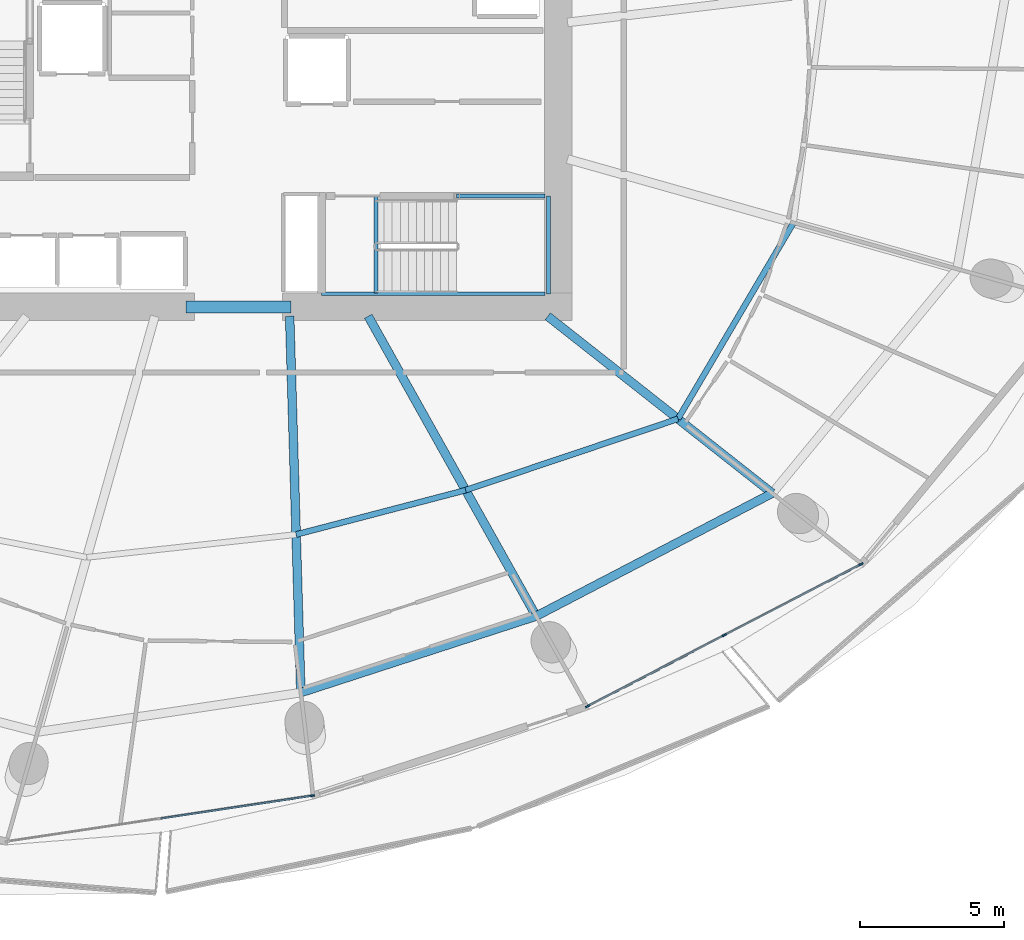
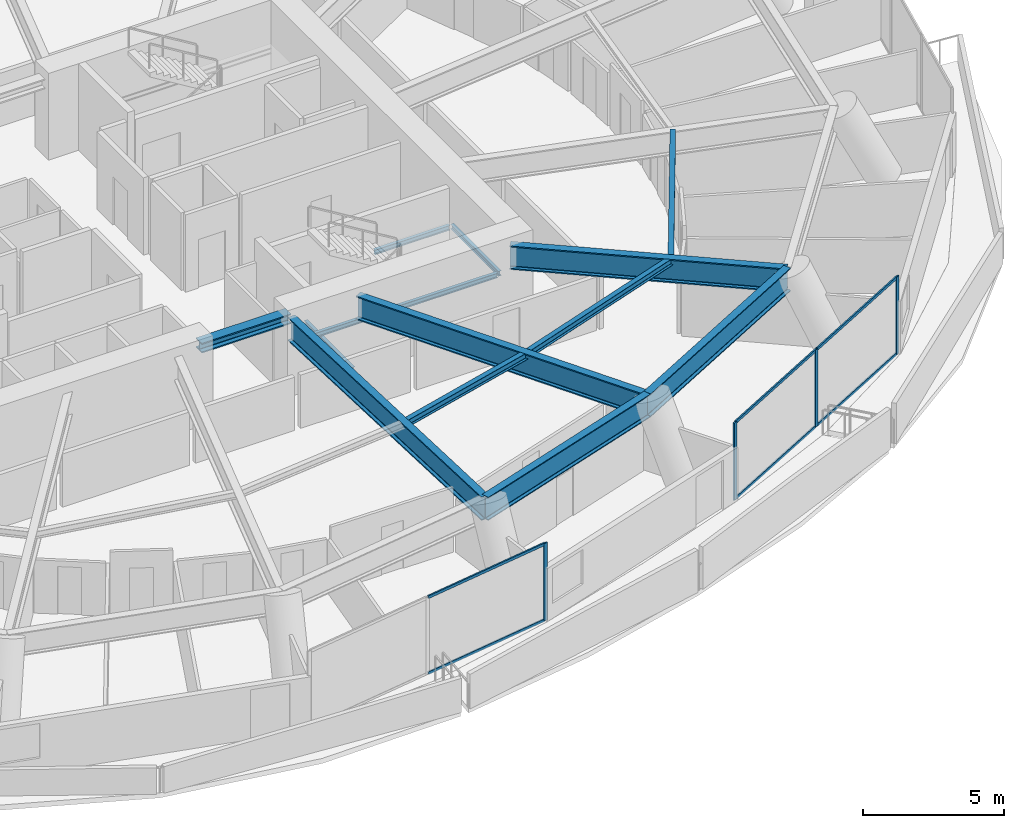
# One storey, part 9 of 31: 13 beams, 10 members, 2 elements without a shape of their own.
"""IFC4 building model written with IfcOpenShell, lengths in metres."""

from ifc_helpers import new_model, si_unit, direction, frame, origin, origin_2d, place, context, subcontext, project, spatial, rectangle, i_section, extrude, material, layer, layer_set, material_profile, profile_set, type_object, element, aggregate, save


model = new_model("IFC4")

# Units and contexts
model_context = context("Model", 3, precision=1e-05, world=origin(), true_north=direction((0.0, 1.0)))
body_context = subcontext(model_context, "Body", "Model", "MODEL_VIEW")
ifc_project = project(units=[si_unit("LENGTHUNIT", "METRE"), si_unit("AREAUNIT", "SQUARE_METRE"), si_unit("VOLUMEUNIT", "CUBIC_METRE"), si_unit("PLANEANGLEUNIT", "RADIAN"), si_unit("MASSUNIT", "GRAM", prefix="KILO")], contexts=[model_context])

# Site, building, storey
site_placement = place(None, origin())
site = spatial("IfcSite", under=ifc_project, at=site_placement, CompositionType="ELEMENT")
building_placement = place(site_placement, origin())
building = spatial("IfcBuilding", under=site, at=building_placement, Name="Kazma Halo Residences", CompositionType="ELEMENT")
storey_placement = place(building_placement, frame((0.0, 0.0, 71.39990234375)))
storey = spatial("IfcBuildingStorey", under=building, at=storey_placement, Name="L17", CompositionType="ELEMENT", Elevation=71.39990234375)

# Beams
ifc_material_1 = material(Name="Steel S355", Category="steel")
ifc_material_profile_1 = material_profile(ifc_material_1, i_section(OverallWidth=0.408935546875, OverallDepth=0.425048828125, WebThickness=0.03271484375, FlangeThickness=0.052490234375, FilletRadius=0.02001953125, at=origin_2d()), Name="W360x421")
ifc_profile_set_1 = profile_set([ifc_material_profile_1], Name="Steel S355")
beam_type_1 = type_object("IfcBeamType", Name="BM-CORE-W360H", PredefinedType="BEAM", material=ifc_profile_set_1)
beam_1_placement = place(storey_placement, frame((46.60009765625, 33.52490234375, 3.1376953125), z_axis=(1.0, 0.0, 0.0), x_axis=(0.0, 1.0, 0.0)))
element("IfcBeam", 1, at=beam_1_placement, inside=storey, type_object=beam_type_1, Name="L17 core coupling beam S", PredefinedType="BEAM", context=body_context, shape_type="SweptSolid", body=[
    extrude(i_section(OverallWidth=0.408935546875, OverallDepth=0.425048828125, WebThickness=0.03271484375, FlangeThickness=0.052490234375, FilletRadius=0.02001953125, at=origin_2d()), origin(), (0.0, 0.0, 1.0), 3.64990234375),
])
ifc_material_profile_2 = material_profile(ifc_material_1, i_section(OverallWidth=0.202880859375, OverallDepth=0.302978515625, WebThickness=0.007568359375, FlangeThickness=0.01318359375, FilletRadius=0.013916015625, at=origin_2d()), Name="W310x60")
ifc_profile_set_2 = profile_set([ifc_material_profile_2], Name="Steel S355")
beam_type_2 = type_object("IfcBeamType", Name="BM-SEC-W310A", PredefinedType="JOIST", material=ifc_profile_set_2)
beam_2_placement = place(storey_placement, frame((50.42529296875, 25.619873046875, 3.198486328125), z_axis=(0.967428637707, 0.253143893751, 0.0), x_axis=(-0.253143893751, 0.967428637707, 0.0)))
element("IfcBeam", 2, at=beam_2_placement, inside=storey, type_object=beam_type_2, Name="L17 circumferential floor joist 12", PredefinedType="JOIST", context=body_context, shape_type="SweptSolid", body=[
    extrude(i_section(OverallWidth=0.202880859375, OverallDepth=0.302978515625, WebThickness=0.007568359375, FlangeThickness=0.01318359375, FilletRadius=0.013916015625, at=origin_2d()), origin(), (0.0, 0.0, 1.0), 6.083740234375),
])
beam_3_placement = place(storey_placement, frame((56.310791015625, 27.159912109375, 3.198486328125), z_axis=(0.947980974582, 0.318326988849, 0.0), x_axis=(-0.318326988849, 0.947980974582, 0.0)))
element("IfcBeam", 3, at=beam_3_placement, inside=storey, type_object=beam_type_2, Name="L17 circumferential floor joist 13", PredefinedType="JOIST", context=body_context, shape_type="SweptSolid", body=[
    extrude(i_section(OverallWidth=0.202880859375, OverallDepth=0.302978515625, WebThickness=0.007568359375, FlangeThickness=0.01318359375, FilletRadius=0.013916015625, at=origin_2d()), origin(), (0.0, 0.0, 1.0), 7.777587890625),
])
beam_4_placement = place(storey_placement, frame((63.683837890625, 29.6357421875, 3.198486328125), z_axis=(0.507592401901, 0.86159732679, 0.0), x_axis=(-0.86159732679, 0.507592401901, 0.0)))
element("IfcBeam", 4, at=beam_4_placement, inside=storey, type_object=beam_type_2, Name="L17 circumferential floor joist 14", PredefinedType="JOIST", context=body_context, shape_type="SweptSolid", body=[
    extrude(i_section(OverallWidth=0.202880859375, OverallDepth=0.302978515625, WebThickness=0.007568359375, FlangeThickness=0.01318359375, FilletRadius=0.013916015625, at=origin_2d()), origin(), (0.0, 0.0, 1.0), 7.9033203125),
])
ifc_material_profile_3 = material_profile(ifc_material_1, i_section(OverallWidth=0.302001953125, OverallDepth=1.01806640625, WebThickness=0.021484375, FlangeThickness=0.049072265625, FilletRadius=0.028076171875, at=origin_2d()), Name="W1000x443")
ifc_profile_set_3 = profile_set([ifc_material_profile_3], Name="Steel S355")
beam_type_3 = type_object("IfcBeamType", Name="BM-TRANS-W1000A", PredefinedType="BEAM", material=ifc_profile_set_3)
beam_5_placement = place(storey_placement, frame((50.199951171875, 33.199951171875, 2.841064453125), z_axis=(0.029707977908, -0.999558620616, 0.0), x_axis=(0.999558620616, 0.029707977908, 0.0)))
element("IfcBeam", 5, at=beam_5_placement, inside=storey, type_object=beam_type_3, Name="L17 podium radial transfer girder 12", PredefinedType="BEAM", context=body_context, shape_type="SweptSolid", body=[
    extrude(i_section(OverallWidth=0.302001953125, OverallDepth=1.01806640625, WebThickness=0.021484375, FlangeThickness=0.049072265625, FilletRadius=0.028076171875, at=origin_2d()), origin(), (0.0, 0.0, 1.0), 13.074951171875),
])
beam_6_placement = place(storey_placement, frame((52.92822265625, 33.199951171875, 2.841064453125), z_axis=(0.488622054606, -0.872495551709, 0.0), x_axis=(0.872495551709, 0.488622054606, 0.0)))
element("IfcBeam", 6, at=beam_6_placement, inside=storey, type_object=beam_type_3, Name="L17 podium radial transfer girder 13", PredefinedType="BEAM", context=body_context, shape_type="SweptSolid", body=[
    extrude(i_section(OverallWidth=0.302001953125, OverallDepth=1.01806640625, WebThickness=0.021484375, FlangeThickness=0.049072265625, FilletRadius=0.028076171875, at=origin_2d()), origin(), (0.0, 0.0, 1.0), 11.935791015625),
])
beam_7_placement = place(storey_placement, frame((59.16259765625, 33.199951171875, 2.841064453125), z_axis=(0.785323894533, -0.619085115856, 0.0), x_axis=(0.619085115856, 0.785323894533, 0.0)))
element("IfcBeam", 7, at=beam_7_placement, inside=storey, type_object=beam_type_3, Name="L17 podium radial transfer girder 14", PredefinedType="BEAM", context=body_context, shape_type="SweptSolid", body=[
    extrude(i_section(OverallWidth=0.302001953125, OverallDepth=1.01806640625, WebThickness=0.021484375, FlangeThickness=0.049072265625, FilletRadius=0.028076171875, at=origin_2d()), origin(), (0.0, 0.0, 1.0), 9.92626953125),
])
ifc_material_profile_4 = material_profile(ifc_material_1, i_section(OverallWidth=0.300048828125, OverallDepth=1.0, WebThickness=0.01904296875, FlangeThickness=0.0400390625, FilletRadius=0.02587890625, at=origin_2d()), Name="W1000x371")
ifc_profile_set_4 = profile_set([ifc_material_profile_4], Name="Steel S355")
beam_type_4 = type_object("IfcBeamType", Name="BM-TRANS-W1000B", PredefinedType="BEAM", material=ifc_profile_set_4)
beam_8_placement = place(storey_placement, frame((50.58837890625, 20.130859375, 2.85009765625), z_axis=(0.951054111927, 0.30902439416, 0.0), x_axis=(-0.30902439416, 0.951054111927, 0.0)))
element("IfcBeam", 8, at=beam_8_placement, inside=storey, type_object=beam_type_4, Name="L17 perimeter ring beam 12", PredefinedType="BEAM", context=body_context, shape_type="SweptSolid", body=[
    extrude(i_section(OverallWidth=0.300048828125, OverallDepth=1.0, WebThickness=0.01904296875, FlangeThickness=0.0400390625, FilletRadius=0.02587890625, at=origin_2d()), origin(), (0.0, 0.0, 1.0), 8.592529296875),
])
beam_9_placement = place(storey_placement, frame((58.76025390625, 22.7861328125, 2.85009765625), z_axis=(0.886963229644, 0.461840047266, 0.0), x_axis=(-0.461840047266, 0.886963229644, 0.0)))
element("IfcBeam", 9, at=beam_9_placement, inside=storey, type_object=beam_type_4, Name="L17 perimeter ring beam 13", PredefinedType="BEAM", context=body_context, shape_type="SweptSolid", body=[
    extrude(i_section(OverallWidth=0.300048828125, OverallDepth=1.0, WebThickness=0.01904296875, FlangeThickness=0.0400390625, FilletRadius=0.02587890625, at=origin_2d()), origin(), (0.0, 0.0, 1.0), 9.242431640625),
])
ifc_material_profile_5 = material_profile(ifc_material_1, i_section(OverallWidth=0.133056640625, OverallDepth=0.20703125, WebThickness=0.005859375, FlangeThickness=0.00830078125, FilletRadius=0.010009765625, at=origin_2d()), Name="W200x26.6")
ifc_profile_set_5 = profile_set([ifc_material_profile_5], Name="Steel S355")
beam_type_5 = type_object("IfcBeamType", Name="BM-TRIM-W200", PredefinedType="BEAM", material=ifc_profile_set_5)
beam_10_placement = place(storey_placement, frame((53.199951171875, 34.0, -0.510009765625), z_axis=(0.0, 1.0, 0.0), x_axis=(-1.0, 0.0, 0.0)))
element("IfcBeam", 10, at=beam_10_placement, inside=storey, type_object=beam_type_5, Name="L17 ST-03 floor landing support beam", PredefinedType="BEAM", context=body_context, shape_type="SweptSolid", body=[
    extrude(i_section(OverallWidth=0.133056640625, OverallDepth=0.20703125, WebThickness=0.005859375, FlangeThickness=0.00830078125, FilletRadius=0.010009765625, at=origin_2d()), origin(), (0.0, 0.0, 1.0), 3.3798828125),
])
beam_11_placement = place(storey_placement, frame((51.31005859375, 33.97998046875, 1.570068359375), z_axis=(1.0, 0.0, 0.0), x_axis=(0.0, 1.0, 0.0)))
element("IfcBeam", 11, at=beam_11_placement, inside=storey, type_object=beam_type_5, Name="L17 ST-03 landing south wall ledger", PredefinedType="BEAM", context=body_context, shape_type="SweptSolid", body=[
    extrude(i_section(OverallWidth=0.133056640625, OverallDepth=0.20703125, WebThickness=0.005859375, FlangeThickness=0.00830078125, FilletRadius=0.010009765625, at=origin_2d()), origin(), (0.0, 0.0, 1.0), 7.760009765625),
])
beam_12_placement = place(storey_placement, frame((56.0, 37.3798828125, 1.570068359375), z_axis=(1.0, 0.0, 0.0), x_axis=(0.0, 1.0, 0.0)))
element("IfcBeam", 12, at=beam_12_placement, inside=storey, type_object=beam_type_5, Name="L17 ST-03 landing north wall ledger", PredefinedType="BEAM", context=body_context, shape_type="SweptSolid", body=[
    extrude(i_section(OverallWidth=0.133056640625, OverallDepth=0.20703125, WebThickness=0.005859375, FlangeThickness=0.00830078125, FilletRadius=0.010009765625, at=origin_2d()), origin(), (0.0, 0.0, 1.0), 3.070068359375),
])
beam_13_placement = place(storey_placement, frame((59.18994140625, 33.97998046875, 1.570068359375), z_axis=(0.0, 1.0, 0.0), x_axis=(-1.0, 0.0, 0.0)))
element("IfcBeam", 13, at=beam_13_placement, inside=storey, type_object=beam_type_5, Name="L17 ST-03 landing end wall ledger", PredefinedType="BEAM", context=body_context, shape_type="SweptSolid", body=[
    extrude(i_section(OverallWidth=0.133056640625, OverallDepth=0.20703125, WebThickness=0.005859375, FlangeThickness=0.00830078125, FilletRadius=0.010009765625, at=origin_2d()), origin(), (0.0, 0.0, 1.0), 3.39990234375),
])

# Curtain wall, member
ifc_material_2 = material(Name="Aluminium AW-6063 T6 and Triple-Silver Low-E Glass", Category="aluminium")
ifc_layer = layer(ifc_material_2, 0.159912109375)
ifc_layer_set = layer_set([ifc_layer], Name="Aluminium AW-6063 T6 and Triple-Silver Low-E Glass")
curtain_wall_type = type_object("IfcCurtainWallType", Name="CW-SYS-2", PredefinedType="NOTDEFINED", material=ifc_layer_set)
curtain_wall_1_placement = place(storey_placement, origin())
curtain_wall_1 = element("IfcCurtainWall", 14, at=curtain_wall_1_placement, inside=storey, type_object=curtain_wall_type, Name="L17 unitised curtain wall B11", PredefinedType="NOTDEFINED")
ifc_material_3 = material(Name="Aluminium AW-6063 T6", Category="aluminium")
ifc_material_profile_6 = material_profile(ifc_material_3, rectangle(XDim=0.06005859375, YDim=0.159912109375, at=origin_2d()), Name="CWM-60x160")
ifc_profile_set_6 = profile_set([ifc_material_profile_6], Name="Aluminium AW-6063 T6")
member_type_1 = type_object("IfcMemberType", Name="CW-SYS-2-MUL", PredefinedType="MULLION", material=ifc_profile_set_6)
member_1_placement = place(storey_placement, frame((50.981689453125, 16.552490234375, 0.0), z_axis=(0.0, 0.0, 1.0), x_axis=(-0.148657272805, 0.988888777994, 0.0)))
member_1 = element("IfcMember", 15, at=member_1_placement, type_object=member_type_1, Name="CWS-2 mullion 3", PredefinedType="MULLION", context=body_context, shape_type="SweptSolid", body=[
    extrude(rectangle(XDim=0.06005859375, YDim=0.159912109375, at=origin_2d()), origin(), (0.0, 0.0, 1.0), 3.35009765625),
])

# Curtain wall, members
curtain_wall_2_placement = place(storey_placement, origin())
curtain_wall_2 = element("IfcCurtainWall", 16, at=curtain_wall_2_placement, inside=storey, type_object=curtain_wall_type, Name="L17 unitised curtain wall B13", PredefinedType="NOTDEFINED")
member_2_placement = place(storey_placement, frame((60.54541015625, 19.659912109375, 0.0), z_axis=(0.0, 0.0, 1.0), x_axis=(-0.460995912628, 0.887402258584, 0.0)))
member_2 = element("IfcMember", 17, at=member_2_placement, type_object=member_type_1, Name="CWS-2 mullion 1", PredefinedType="MULLION", context=body_context, shape_type="SweptSolid", body=[
    extrude(rectangle(XDim=0.06005859375, YDim=0.159912109375, at=origin_2d()), origin(), (0.0, 0.0, 1.0), 3.35009765625),
])
member_3_placement = place(storey_placement, frame((65.2919921875, 22.125732421875, 0.0), z_axis=(0.0, 0.0, 1.0), x_axis=(-0.460995912628, 0.887402258584, 0.0)))
member_3 = element("IfcMember", 18, at=member_3_placement, type_object=member_type_1, Name="CWS-2 mullion 2", PredefinedType="MULLION", context=body_context, shape_type="SweptSolid", body=[
    extrude(rectangle(XDim=0.06005859375, YDim=0.159912109375, at=origin_2d()), origin(), (0.0, 0.0, 1.0), 3.35009765625),
])
member_4_placement = place(storey_placement, frame((70.03857421875, 24.591552734375, 0.0), z_axis=(0.0, 0.0, 1.0), x_axis=(-0.460995912628, 0.887402258584, 0.0)))
member_4 = element("IfcMember", 19, at=member_4_placement, type_object=member_type_1, Name="CWS-2 mullion 3", PredefinedType="MULLION", context=body_context, shape_type="SweptSolid", body=[
    extrude(rectangle(XDim=0.06005859375, YDim=0.159912109375, at=origin_2d()), origin(), (0.0, 0.0, 1.0), 3.35009765625),
])

# Member
ifc_material_profile_7 = material_profile(ifc_material_3, rectangle(XDim=0.06005859375, YDim=0.1201171875, at=origin_2d()), Name="CWT-60x120")
ifc_profile_set_7 = profile_set([ifc_material_profile_7], Name="Aluminium AW-6063 T6")
member_type_2 = type_object("IfcMemberType", Name="CW-SYS-2-TRN", PredefinedType="USERDEFINED", material=ifc_profile_set_7)
member_5_placement = place(storey_placement, frame((45.721923828125, 15.761962890625, 0.030029296875), z_axis=(0.98889195415, 0.148636143041, 0.0), x_axis=(-0.148636143041, 0.98889195415, 0.0)))
member_5 = element("IfcMember", 20, at=member_5_placement, type_object=member_type_2, Name="CWS-2 transom 2.1", ObjectType="TRANSOM", PredefinedType="USERDEFINED", context=body_context, shape_type="SweptSolid", body=[
    extrude(rectangle(XDim=0.06005859375, YDim=0.1201171875, at=origin_2d()), origin(), (0.0, 0.0, 1.0), 5.2890625),
])

member_6_placement = place(storey_placement, frame((45.721923828125, 15.761962890625, 3.320068359375), z_axis=(0.98889195415, 0.148636143041, 0.0), x_axis=(-0.148636143041, 0.98889195415, 0.0)))
member_6 = element("IfcMember", 21, at=member_6_placement, type_object=member_type_2, Name="CWS-2 transom 2.2", ObjectType="TRANSOM", PredefinedType="USERDEFINED", context=body_context, shape_type="SweptSolid", body=[
    extrude(rectangle(XDim=0.06005859375, YDim=0.1201171875, at=origin_2d()), origin(), (0.0, 0.0, 1.0), 5.2890625),
])

aggregate(curtain_wall_1, [member_1, member_5, member_6])

member_7_placement = place(storey_placement, frame((60.572021484375, 19.673828125, 0.030029296875), z_axis=(0.887414738583, 0.460971888238, 0.0), x_axis=(-0.460971888238, 0.887414738583, 0.0)))
member_7 = element("IfcMember", 22, at=member_7_placement, type_object=member_type_2, Name="CWS-2 transom 1.1", ObjectType="TRANSOM", PredefinedType="USERDEFINED", context=body_context, shape_type="SweptSolid", body=[
    extrude(rectangle(XDim=0.06005859375, YDim=0.1201171875, at=origin_2d()), origin(), (0.0, 0.0, 1.0), 5.288818359375),
])

member_8_placement = place(storey_placement, frame((60.572021484375, 19.673828125, 3.320068359375), z_axis=(0.887414738583, 0.460971888238, 0.0), x_axis=(-0.460971888238, 0.887414738583, 0.0)))
member_8 = element("IfcMember", 23, at=member_8_placement, type_object=member_type_2, Name="CWS-2 transom 1.2", ObjectType="TRANSOM", PredefinedType="USERDEFINED", context=body_context, shape_type="SweptSolid", body=[
    extrude(rectangle(XDim=0.06005859375, YDim=0.1201171875, at=origin_2d()), origin(), (0.0, 0.0, 1.0), 5.288818359375),
])

member_9_placement = place(storey_placement, frame((65.318603515625, 22.1396484375, 0.030029296875), z_axis=(0.887414738583, 0.460971888238, 0.0), x_axis=(-0.460971888238, 0.887414738583, 0.0)))
member_9 = element("IfcMember", 24, at=member_9_placement, type_object=member_type_2, Name="CWS-2 transom 2.1", ObjectType="TRANSOM", PredefinedType="USERDEFINED", context=body_context, shape_type="SweptSolid", body=[
    extrude(rectangle(XDim=0.06005859375, YDim=0.1201171875, at=origin_2d()), origin(), (0.0, 0.0, 1.0), 5.288818359375),
])

member_10_placement = place(storey_placement, frame((65.318603515625, 22.1396484375, 3.320068359375), z_axis=(0.887414738583, 0.460971888238, 0.0), x_axis=(-0.460971888238, 0.887414738583, 0.0)))
member_10 = element("IfcMember", 25, at=member_10_placement, type_object=member_type_2, Name="CWS-2 transom 2.2", ObjectType="TRANSOM", PredefinedType="USERDEFINED", context=body_context, shape_type="SweptSolid", body=[
    extrude(rectangle(XDim=0.06005859375, YDim=0.1201171875, at=origin_2d()), origin(), (0.0, 0.0, 1.0), 5.288818359375),
])

aggregate(curtain_wall_2, [member_2, member_3, member_4, member_7, member_8, member_9, member_10])

save(model, "model.ifc")
